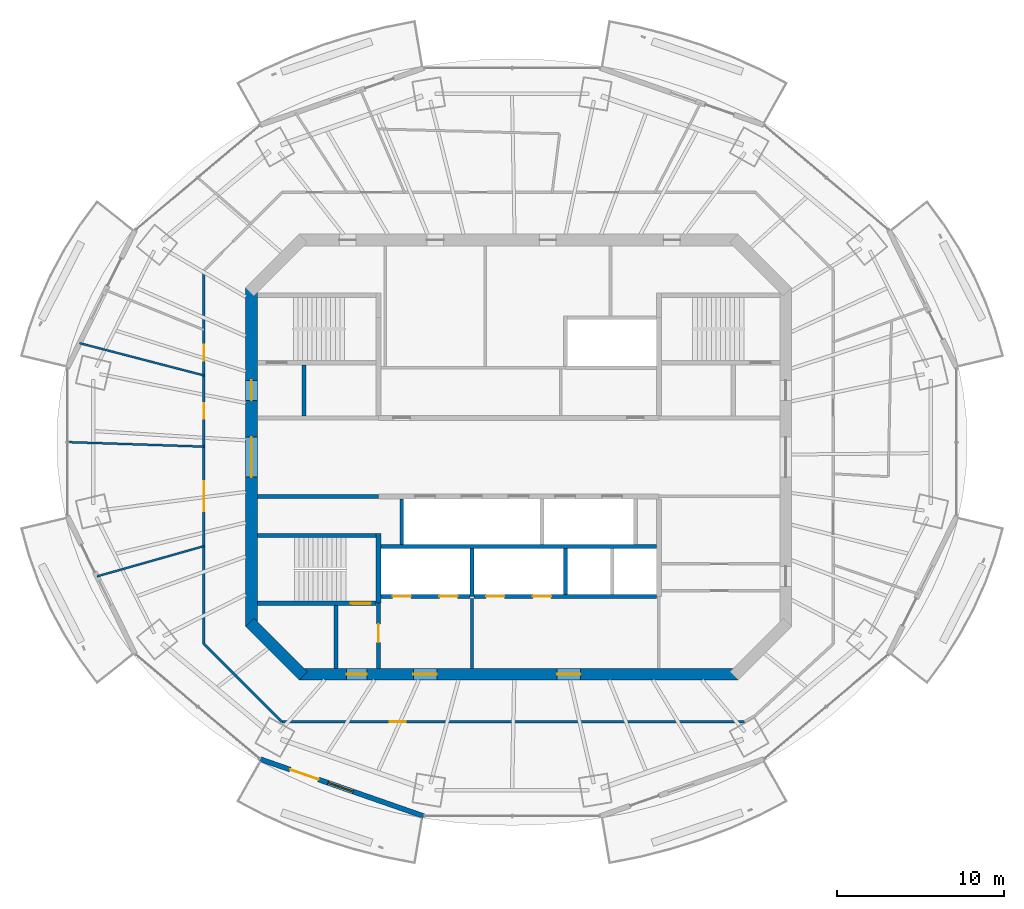
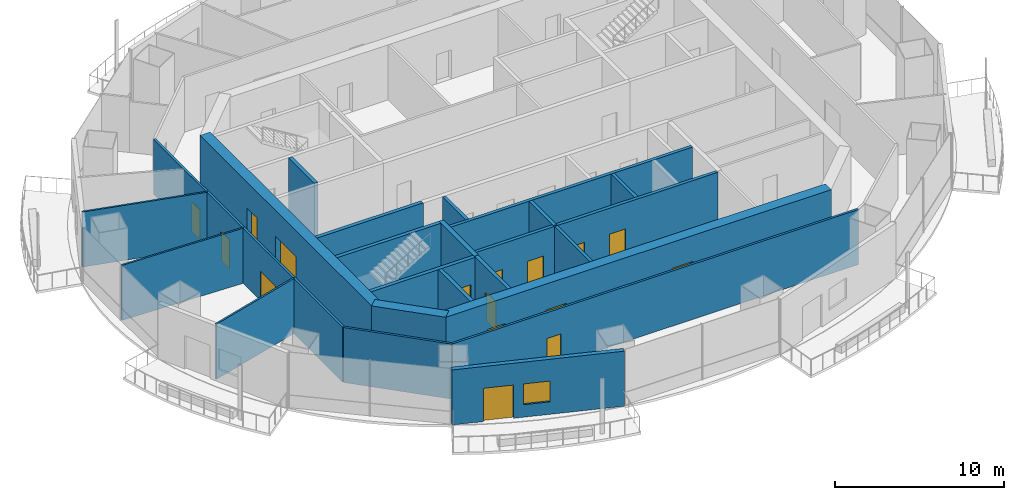
# One storey, part 8 of 16: 24 walls, 16 doors, 1 window, 17 openings.
"""IFC4 building model written with IfcOpenShell, lengths in metres."""

from ifc_helpers import new_model, si_unit, direction, frame, frame_2d, origin, place, context, subcontext, project, spatial, rectangle, extrude, material, layer, layer_set, type_object, element, fill, save


model = new_model("IFC4")

# Units and contexts
model_context = context("Model", 3, precision=1e-05, world=origin(), true_north=direction((0.0, 1.0)))
body_context = subcontext(model_context, "Body", "Model", "MODEL_VIEW")
ifc_project = project(units=[si_unit("LENGTHUNIT", "METRE"), si_unit("AREAUNIT", "SQUARE_METRE"), si_unit("VOLUMEUNIT", "CUBIC_METRE"), si_unit("PLANEANGLEUNIT", "RADIAN"), si_unit("MASSUNIT", "GRAM", prefix="KILO")], contexts=[model_context])

# Site, building, storey
site_placement = place(None, origin())
site = spatial("IfcSite", under=ifc_project, at=site_placement, CompositionType="ELEMENT")
building_placement = place(site_placement, origin())
building = spatial("IfcBuilding", under=site, at=building_placement, Name="Marenthal Gate Tower", CompositionType="ELEMENT")
storey_placement = place(building_placement, frame((0.0, 0.0, 338.449951171875)))
storey = spatial("IfcBuildingStorey", under=building, at=storey_placement, Name="L76", CompositionType="ELEMENT", Elevation=338.449951171875)

# Wall, openings, doors
ifc_material_1 = material(Name="Concrete 60 MPa", Category="concrete")
ifc_layer_1 = layer(ifc_material_1, 0.699951171875)
ifc_layer_set_1 = layer_set([ifc_layer_1], Name="Core shear wall 700")
wall_type_1 = type_object("IfcWallType", Name="Core shear wall 700", PredefinedType="SHEAR", material=ifc_layer_set_1)
wall_1_placement = place(storey_placement, frame((-16.0, 10.14501953125, -0.179931640625), z_axis=(0.0, 0.0, 1.0), x_axis=(0.0, -1.0, 0.0)))
wall_1 = element("IfcWall", 1, at=wall_1_placement, inside=storey, type_object=wall_type_1, Name="Core wall 06", PredefinedType="SHEAR", context=body_context, shape_type="SweptSolid", body=[
    extrude(rectangle(XDim=20.2900390625, YDim=0.699951171875, at=frame_2d((10.14501953125, 0.0))), origin(), (0.0, 0.0, 1.0), 4.14990234375),
])
opening_1_placement = place(wall_1_placement, frame((8.945068359375, 0.0, 0.179931640625)))
opening_1 = element("IfcOpeningElement", 2, at=opening_1_placement, cuts=wall_1, Name="Opening D003.01", PredefinedType="OPENING", context=body_context, shape_type="SweptSolid", body=[
    extrude(rectangle(XDim=2.39990234375, YDim=2.10009765625, at=frame_2d((1.199951171875, 1.050048828125))), frame((0.0, 0.35986328125, 0.0), z_axis=(0.0, -1.0, 0.0), x_axis=(1.0, 0.0, 0.0)), (0.0, 0.0, 1.0), 0.719970703125),
])
opening_2_placement = place(wall_1_placement, frame((5.544921875, 0.0, 0.179931640625)))
opening_2 = element("IfcOpeningElement", 3, at=opening_2_placement, cuts=wall_1, Name="Opening D001.04", PredefinedType="OPENING", context=body_context, shape_type="SweptSolid", body=[
    extrude(rectangle(XDim=1.199951171875, YDim=2.10009765625, at=frame_2d((0.60009765625, 1.050048828125))), frame((0.0, 0.35986328125, 0.0), z_axis=(0.0, -1.0, 0.0), x_axis=(1.0, 0.0, 0.0)), (0.0, 0.0, 1.0), 0.719970703125),
])
ifc_material_2 = material(Name="Steel fire door", Category="steel")
door_type_1 = type_object("IfcDoorType", Name="Double fire door FD 45 2400 x 2100", OperationType="DOUBLE_DOOR_SINGLE_SWING", PredefinedType="DOOR", material=ifc_material_2)
door_1_placement = place(opening_1_placement, origin())
door_1 = element("IfcDoor", 4, at=door_1_placement, inside=storey, type_object=door_type_1, Name="Door D003.01", OperationType="DOUBLE_DOOR_SINGLE_SWING", OverallHeight=2.10009765625, OverallWidth=2.39990234375, PredefinedType="DOOR", context=body_context, shape_type="SweptSolid", body=[
    extrude(rectangle(XDim=2.39990234375, YDim=2.10009765625, at=frame_2d((1.199951171875, 1.050048828125))), frame((0.0, 0.02490234375, 0.0), z_axis=(0.0, -1.0, 0.0), x_axis=(1.0, 0.0, 0.0)), (0.0, 0.0, 1.0), 0.050048828125),
])
fill(opening_1, door_1)
ifc_material_3 = material(Name="Steel fire door", Category="steel")
door_type_2 = type_object("IfcDoorType", Name="Fire door FD 90 1200 x 2100", OperationType="NOTDEFINED", PredefinedType="DOOR", material=ifc_material_3)
door_2_placement = place(opening_2_placement, origin())
door_2 = element("IfcDoor", 5, at=door_2_placement, inside=storey, type_object=door_type_2, Name="Door D001.04", OperationType="SINGLE_SWING_RIGHT", OverallHeight=2.10009765625, OverallWidth=1.199951171875, PredefinedType="DOOR", context=body_context, shape_type="SweptSolid", body=[
    extrude(rectangle(XDim=1.199951171875, YDim=2.10009765625, at=frame_2d((0.60009765625, 1.050048828125))), frame((0.0, 0.02490234375, 0.0), z_axis=(0.0, -1.0, 0.0), x_axis=(1.0, 0.0, 0.0)), (0.0, 0.0, 1.0), 0.050048828125),
])
fill(opening_2, door_2)

# Wall
wall_2_placement = place(storey_placement, frame((-16.1025390625, -9.8974609375, -0.179931640625), z_axis=(0.0, 0.0, 1.0), x_axis=(0.707106781187, -0.707106781187, 0.0)))
element("IfcWall", 6, at=wall_2_placement, inside=storey, type_object=wall_type_1, Name="Core wall 07", PredefinedType="SHEAR", context=body_context, shape_type="SweptSolid", body=[
    extrude(rectangle(XDim=4.53271484375, YDim=0.699951171875, at=frame_2d((2.266357421875, 0.0))), origin(), (0.0, 0.0, 1.0), 4.14990234375),
])

# Wall, openings, doors
wall_3_placement = place(storey_placement, frame((-13.14501953125, -13.0, -0.179931640625), z_axis=(0.0, 0.0, 1.0), x_axis=(1.0, 0.0, 0.0)))
wall_3 = element("IfcWall", 7, at=wall_3_placement, inside=storey, type_object=wall_type_1, Name="Core wall 08", PredefinedType="SHEAR", context=body_context, shape_type="SweptSolid", body=[
    extrude(rectangle(XDim=26.2900390625, YDim=0.699951171875, at=frame_2d((13.14501953125, 0.0))), origin(), (0.0, 0.0, 1.0), 4.14990234375),
])
opening_3_placement = place(wall_3_placement, frame((2.844970703125, 0.0, 0.179931640625)))
opening_3 = element("IfcOpeningElement", 8, at=opening_3_placement, cuts=wall_3, Name="Opening D001.06", PredefinedType="OPENING", context=body_context, shape_type="SweptSolid", body=[
    extrude(rectangle(XDim=1.199951171875, YDim=2.10009765625, at=frame_2d((0.60009765625, 1.050048828125))), frame((0.0, 0.35986328125, 0.0), z_axis=(0.0, -1.0, 0.0), x_axis=(1.0, 0.0, 0.0)), (0.0, 0.0, 1.0), 0.719970703125),
])
opening_4_placement = place(wall_3_placement, frame((6.844970703125, 0.0, 0.179931640625)))
opening_4 = element("IfcOpeningElement", 9, at=opening_4_placement, cuts=wall_3, Name="Opening D004.01", PredefinedType="OPENING", context=body_context, shape_type="SweptSolid", body=[
    extrude(rectangle(XDim=1.39990234375, YDim=2.10009765625, at=frame_2d((0.699951171875, 1.050048828125))), frame((0.0, 0.35986328125, 0.0), z_axis=(0.0, -1.0, 0.0), x_axis=(1.0, 0.0, 0.0)), (0.0, 0.0, 1.0), 0.719970703125),
])
opening_5_placement = place(wall_3_placement, frame((15.445068359375, 0.0, 0.179931640625)))
opening_5 = element("IfcOpeningElement", 10, at=opening_5_placement, cuts=wall_3, Name="Opening D004.02", PredefinedType="OPENING", context=body_context, shape_type="SweptSolid", body=[
    extrude(rectangle(XDim=1.39990234375, YDim=2.10009765625, at=frame_2d((0.699951171875, 1.050048828125))), frame((0.0, 0.35986328125, 0.0), z_axis=(0.0, -1.0, 0.0), x_axis=(1.0, 0.0, 0.0)), (0.0, 0.0, 1.0), 0.719970703125),
])
ifc_material_4 = material(Name="Steel fire door", Category="steel")
door_type_3 = type_object("IfcDoorType", Name="Fire door FD 45 1400 x 2100", OperationType="NOTDEFINED", PredefinedType="DOOR", material=ifc_material_4)
door_3_placement = place(opening_4_placement, origin())
door_3 = element("IfcDoor", 11, at=door_3_placement, inside=storey, type_object=door_type_3, Name="Door D004.01", OperationType="SINGLE_SWING_RIGHT", OverallHeight=2.10009765625, OverallWidth=1.39990234375, PredefinedType="DOOR", context=body_context, shape_type="SweptSolid", body=[
    extrude(rectangle(XDim=1.39990234375, YDim=2.10009765625, at=frame_2d((0.699951171875, 1.050048828125))), frame((0.0, 0.02490234375, 0.0), z_axis=(0.0, -1.0, 0.0), x_axis=(1.0, 0.0, 0.0)), (0.0, 0.0, 1.0), 0.050048828125),
])
fill(opening_4, door_3)
door_4_placement = place(opening_5_placement, origin())
door_4 = element("IfcDoor", 12, at=door_4_placement, inside=storey, type_object=door_type_3, Name="Door D004.02", OperationType="SINGLE_SWING_RIGHT", OverallHeight=2.10009765625, OverallWidth=1.39990234375, PredefinedType="DOOR", context=body_context, shape_type="SweptSolid", body=[
    extrude(rectangle(XDim=1.39990234375, YDim=2.10009765625, at=frame_2d((0.699951171875, 1.050048828125))), frame((0.0, 0.02490234375, 0.0), z_axis=(0.0, -1.0, 0.0), x_axis=(1.0, 0.0, 0.0)), (0.0, 0.0, 1.0), 0.050048828125),
])
fill(opening_5, door_4)
door_5_placement = place(opening_3_placement, origin())
door_5 = element("IfcDoor", 13, at=door_5_placement, inside=storey, type_object=door_type_2, Name="Door D001.06", OperationType="SINGLE_SWING_RIGHT", OverallHeight=2.10009765625, OverallWidth=1.199951171875, PredefinedType="DOOR", context=body_context, shape_type="SweptSolid", body=[
    extrude(rectangle(XDim=1.199951171875, YDim=2.10009765625, at=frame_2d((0.60009765625, 1.050048828125))), frame((0.0, 0.02490234375, 0.0), z_axis=(0.0, -1.0, 0.0), x_axis=(1.0, 0.0, 0.0)), (0.0, 0.0, 1.0), 0.050048828125),
])
fill(opening_3, door_5)

# Walls
ifc_material_5 = material(Name="Gypsum board on steel studs", Category="steel")
ifc_layer_2 = layer(ifc_material_5, 0.199951171875)
ifc_layer_set_2 = layer_set([ifc_layer_2], Name="Fire lobby wall 200")
wall_type_2 = type_object("IfcWallType", Name="Fire lobby wall 200", PredefinedType="PARTITIONING", material=ifc_layer_set_2)
wall_4_placement = place(storey_placement, frame((-2.800048828125, -12.64990234375, 0.0), z_axis=(0.0, 0.0, 1.0), x_axis=(0.0, 1.0, 0.0)))
element("IfcWall", 14, at=wall_4_placement, inside=storey, type_object=wall_type_2, Name="Fire wall 37", PredefinedType="PARTITIONING", context=body_context, shape_type="SweptSolid", body=[
    extrude(rectangle(XDim=4.18994140625, YDim=0.199951171875, at=frame_2d((2.094970703125, 0.0))), origin(), (0.0, 0.0, 1.0), 3.969970703125),
])
ifc_material_6 = material(Name="Concrete 50 MPa", Category="concrete")
ifc_layer_3 = layer(ifc_material_6, 0.300048828125)
ifc_layer_set_3 = layer_set([ifc_layer_3], Name="Hoistway shear wall 300")
wall_type_3 = type_object("IfcWallType", Name="Hoistway shear wall 300", PredefinedType="SHEAR", material=ifc_layer_set_3)
wall_5_placement = place(storey_placement, frame((-8.39990234375, -8.75, -0.179931640625), z_axis=(0.0, 0.0, 1.0), x_axis=(0.0, 1.0, 0.0)))
element("IfcWall", 15, at=wall_5_placement, inside=storey, type_object=wall_type_3, Name="Hoistway wall 32", PredefinedType="SHEAR", context=body_context, shape_type="SweptSolid", body=[
    extrude(rectangle(XDim=4.175048828125, YDim=0.300048828125, at=frame_2d((2.08740234375, 0.0))), origin(), (0.0, 0.0, 1.0), 4.14990234375),
])

# Wall, openings, doors
ifc_material_7 = material(Name="Concrete 40 MPa", Category="concrete")
ifc_layer_4 = layer(ifc_material_7, 0.219970703125)
ifc_layer_set_4 = layer_set([ifc_layer_4], Name="Hoistway wall 220")
wall_type_4 = type_object("IfcWallType", Name="Hoistway wall 220", PredefinedType="STANDARD", material=ifc_layer_set_4)
wall_6_placement = place(storey_placement, frame((-8.25, -8.35009765625, 0.0), z_axis=(0.0, 0.0, 1.0), x_axis=(1.0, 0.0, 0.0)))
wall_6 = element("IfcWall", 16, at=wall_6_placement, inside=storey, type_object=wall_type_4, Name="Hoistway wall 10", PredefinedType="STANDARD", context=body_context, shape_type="SweptSolid", body=[
    extrude(rectangle(XDim=5.340087890625, YDim=0.219970703125, at=frame_2d((2.669921875, 0.0))), origin(), (0.0, 0.0, 1.0), 3.969970703125),
])
opening_6_placement = place(wall_6_placement, frame((0.699951171875, 0.0, 0.0)))
opening_6 = element("IfcOpeningElement", 17, at=opening_6_placement, cuts=wall_6, Name="Opening LD-LF1", PredefinedType="OPENING", context=body_context, shape_type="SweptSolid", body=[
    extrude(rectangle(XDim=1.10009765625, YDim=2.10009765625, at=frame_2d((0.550048828125, 1.050048828125))), frame((0.0, 0.1201171875, 0.0), z_axis=(0.0, -1.0, 0.0), x_axis=(1.0, 0.0, 0.0)), (0.0, 0.0, 1.0), 0.239990234375),
])
opening_7_placement = place(wall_6_placement, frame((3.5, 0.0, 0.0)))
opening_7 = element("IfcOpeningElement", 18, at=opening_7_placement, cuts=wall_6, Name="Opening LD-LF2", PredefinedType="OPENING", context=body_context, shape_type="SweptSolid", body=[
    extrude(rectangle(XDim=1.10009765625, YDim=2.10009765625, at=frame_2d((0.550048828125, 1.050048828125))), frame((0.0, 0.1201171875, 0.0), z_axis=(0.0, -1.0, 0.0), x_axis=(1.0, 0.0, 0.0)), (0.0, 0.0, 1.0), 0.239990234375),
])
ifc_material_8 = material(Name="Stainless steel sliding door", Category="steel")
door_type_4 = type_object("IfcDoorType", Name="Lift landing door FD 90 1100 x 2100", OperationType="DOUBLE_DOOR_SLIDING", PredefinedType="DOOR", material=ifc_material_8)
door_6_placement = place(opening_6_placement, origin())
door_6 = element("IfcDoor", 19, at=door_6_placement, inside=storey, type_object=door_type_4, Name="Lift landing door LF1", OperationType="DOUBLE_DOOR_SLIDING", OverallHeight=2.10009765625, OverallWidth=1.10009765625, PredefinedType="DOOR", context=body_context, shape_type="SweptSolid", body=[
    extrude(rectangle(XDim=1.10009765625, YDim=2.10009765625, at=frame_2d((0.550048828125, 1.050048828125))), frame((0.0, 0.02490234375, 0.0), z_axis=(0.0, -1.0, 0.0), x_axis=(1.0, 0.0, 0.0)), (0.0, 0.0, 1.0), 0.050048828125),
])
fill(opening_6, door_6)
door_7_placement = place(opening_7_placement, origin())
door_7 = element("IfcDoor", 20, at=door_7_placement, inside=storey, type_object=door_type_4, Name="Lift landing door LF2", OperationType="DOUBLE_DOOR_SLIDING", OverallHeight=2.10009765625, OverallWidth=1.10009765625, PredefinedType="DOOR", context=body_context, shape_type="SweptSolid", body=[
    extrude(rectangle(XDim=1.10009765625, YDim=2.10009765625, at=frame_2d((0.550048828125, 1.050048828125))), frame((0.0, 0.02490234375, 0.0), z_axis=(0.0, -1.0, 0.0), x_axis=(1.0, 0.0, 0.0)), (0.0, 0.0, 1.0), 0.050048828125),
])
fill(opening_7, door_7)

wall_7_placement = place(storey_placement, frame((-2.68994140625, -8.35009765625, 0.0), z_axis=(0.0, 0.0, 1.0), x_axis=(1.0, 0.0, 0.0)))
wall_7 = element("IfcWall", 21, at=wall_7_placement, inside=storey, type_object=wall_type_4, Name="Hoistway wall 11", PredefinedType="STANDARD", context=body_context, shape_type="SweptSolid", body=[
    extrude(rectangle(XDim=10.93994140625, YDim=0.219970703125, at=frame_2d((5.469970703125, 0.0))), origin(), (0.0, 0.0, 1.0), 3.969970703125),
])
opening_8_placement = place(wall_7_placement, frame((0.739990234375, 0.0, 0.0)))
opening_8 = element("IfcOpeningElement", 22, at=opening_8_placement, cuts=wall_7, Name="Opening LD-SV1", PredefinedType="OPENING", context=body_context, shape_type="SweptSolid", body=[
    extrude(rectangle(XDim=1.10009765625, YDim=2.10009765625, at=frame_2d((0.550048828125, 1.050048828125))), frame((0.0, 0.1201171875, 0.0), z_axis=(0.0, -1.0, 0.0), x_axis=(1.0, 0.0, 0.0)), (0.0, 0.0, 1.0), 0.239990234375),
])
opening_9_placement = place(wall_7_placement, frame((3.5400390625, 0.0, 0.0)))
opening_9 = element("IfcOpeningElement", 23, at=opening_9_placement, cuts=wall_7, Name="Opening LD-SV2", PredefinedType="OPENING", context=body_context, shape_type="SweptSolid", body=[
    extrude(rectangle(XDim=1.10009765625, YDim=2.10009765625, at=frame_2d((0.550048828125, 1.050048828125))), frame((0.0, 0.1201171875, 0.0), z_axis=(0.0, -1.0, 0.0), x_axis=(1.0, 0.0, 0.0)), (0.0, 0.0, 1.0), 0.239990234375),
])
door_8_placement = place(opening_8_placement, origin())
door_8 = element("IfcDoor", 24, at=door_8_placement, inside=storey, type_object=door_type_4, Name="Lift landing door SV1", OperationType="DOUBLE_DOOR_SLIDING", OverallHeight=2.10009765625, OverallWidth=1.10009765625, PredefinedType="DOOR", context=body_context, shape_type="SweptSolid", body=[
    extrude(rectangle(XDim=1.10009765625, YDim=2.10009765625, at=frame_2d((0.550048828125, 1.050048828125))), frame((0.0, 0.02490234375, 0.0), z_axis=(0.0, -1.0, 0.0), x_axis=(1.0, 0.0, 0.0)), (0.0, 0.0, 1.0), 0.050048828125),
])
fill(opening_8, door_8)
door_9_placement = place(opening_9_placement, origin())
door_9 = element("IfcDoor", 25, at=door_9_placement, inside=storey, type_object=door_type_4, Name="Lift landing door SV2", OperationType="DOUBLE_DOOR_SLIDING", OverallHeight=2.10009765625, OverallWidth=1.10009765625, PredefinedType="DOOR", context=body_context, shape_type="SweptSolid", body=[
    extrude(rectangle(XDim=1.10009765625, YDim=2.10009765625, at=frame_2d((0.550048828125, 1.050048828125))), frame((0.0, 0.02490234375, 0.0), z_axis=(0.0, -1.0, 0.0), x_axis=(1.0, 0.0, 0.0)), (0.0, 0.0, 1.0), 0.050048828125),
])
fill(opening_9, door_9)

# Walls
wall_8_placement = place(storey_placement, frame((-8.25, -5.35009765625, 0.0), z_axis=(0.0, 0.0, 1.0), x_axis=(1.0, 0.0, 0.0)))
element("IfcWall", 26, at=wall_8_placement, inside=storey, type_object=wall_type_4, Name="Hoistway wall 14", PredefinedType="STANDARD", context=body_context, shape_type="SweptSolid", body=[
    extrude(rectangle(XDim=16.5, YDim=0.219970703125, at=frame_2d((8.25, 0.0))), origin(), (0.0, 0.0, 1.0), 3.969970703125),
])
wall_9_placement = place(storey_placement, frame((-7.0, -5.239990234375, 0.0), z_axis=(0.0, 0.0, 1.0), x_axis=(0.0, 1.0, 0.0)))
element("IfcWall", 27, at=wall_9_placement, inside=storey, type_object=wall_type_4, Name="Hoistway wall 36", PredefinedType="STANDARD", context=body_context, shape_type="SweptSolid", body=[
    extrude(rectangle(XDim=2.739990234375, YDim=0.219970703125, at=frame_2d((1.3701171875, 0.0))), origin(), (0.0, 0.0, 1.0), 3.969970703125),
])
wall_10_placement = place(storey_placement, frame((-2.800048828125, -8.35009765625, 0.0), z_axis=(0.0, 0.0, 1.0), x_axis=(0.0, 1.0, 0.0)))
element("IfcWall", 28, at=wall_10_placement, inside=storey, type_object=wall_type_4, Name="Hoistway wall 38", PredefinedType="STANDARD", context=body_context, shape_type="SweptSolid", body=[
    extrude(rectangle(XDim=2.89013671875, YDim=0.219970703125, at=frame_2d((1.445068359375, 0.0))), origin(), (0.0, 0.0, 1.0), 3.969970703125),
])
wall_11_placement = place(storey_placement, frame((2.800048828125, -8.239990234375, 0.0), z_axis=(0.0, 0.0, 1.0), x_axis=(0.0, 1.0, 0.0)))
element("IfcWall", 29, at=wall_11_placement, inside=storey, type_object=wall_type_4, Name="Hoistway wall 42", PredefinedType="STANDARD", context=body_context, shape_type="SweptSolid", body=[
    extrude(rectangle(XDim=2.780029296875, YDim=0.219970703125, at=frame_2d((1.39013671875, 0.0))), origin(), (0.0, 0.0, 1.0), 3.969970703125),
])
ifc_material_9 = material(Name="Gypsum board on steel studs", Category="steel")
ifc_layer_5 = layer(ifc_material_9, 0.1201171875)
ifc_layer_set_5 = layer_set([ifc_layer_5], Name="Partition 120")
wall_type_5 = type_object("IfcWallType", Name="Partition 120", PredefinedType="PARTITIONING", material=ifc_layer_set_5)
wall_12_placement = place(storey_placement, frame((-18.85009765625, -5.331787109375, 0.0), z_axis=(0.0, 0.0, 1.0), x_axis=(-0.962246620086, -0.272179062626, 0.0)))
element("IfcWall", 30, at=wall_12_placement, inside=storey, type_object=wall_type_5, Name="Partition wall 53", PredefinedType="PARTITIONING", context=body_context, shape_type="SweptSolid", body=[
    extrude(rectangle(XDim=6.661865234375, YDim=0.1201171875, at=frame_2d((3.3310546875, 0.0))), origin(), (0.0, 0.0, 1.0), 3.969970703125),
])
wall_13_placement = place(storey_placement, frame((-18.85009765625, 0.627685546875, 0.0), z_axis=(0.0, 0.0, 1.0), x_axis=(-0.999446363227, 0.03327111408, 0.0)))
element("IfcWall", 31, at=wall_13_placement, inside=storey, type_object=wall_type_5, Name="Partition wall 54", PredefinedType="PARTITIONING", context=body_context, shape_type="SweptSolid", body=[
    extrude(rectangle(XDim=8.181884765625, YDim=0.1201171875, at=frame_2d((4.0908203125, 0.0))), origin(), (0.0, 0.0, 1.0), 3.969970703125),
])
wall_14_placement = place(storey_placement, frame((-18.85009765625, 4.89208984375, 0.0), z_axis=(0.0, 0.0, 1.0), x_axis=(-0.96792697071, 0.251231724456, 0.0)))
element("IfcWall", 32, at=wall_14_placement, inside=storey, type_object=wall_type_5, Name="Partition wall 55", PredefinedType="PARTITIONING", context=body_context, shape_type="SweptSolid", body=[
    extrude(rectangle(XDim=7.700439453125, YDim=0.1201171875, at=frame_2d((3.85009765625, 0.0))), origin(), (0.0, 0.0, 1.0), 3.969970703125),
])

# Wall, openings, doors
ifc_material_10 = material(Name="Gypsum board on steel studs", Category="steel")
ifc_layer_6 = layer(ifc_material_10, 0.14990234375)
ifc_layer_set_6 = layer_set([ifc_layer_6], Name="Partition 150")
wall_type_6 = type_object("IfcWallType", Name="Partition 150", PredefinedType="PARTITIONING", material=ifc_layer_set_6)
wall_15_placement = place(storey_placement, frame((-18.85009765625, -11.180419921875, 0.0), z_axis=(0.0, 0.0, 1.0), x_axis=(0.0, 1.0, 0.0)))
wall_15 = element("IfcWall", 33, at=wall_15_placement, inside=storey, type_object=wall_type_6, Name="Partition wall 52", PredefinedType="PARTITIONING", context=body_context, shape_type="SweptSolid", body=[
    extrude(rectangle(XDim=22.36083984375, YDim=0.14990234375, at=frame_2d((11.180419921875, 0.0))), origin(), (0.0, 0.0, 1.0), 3.969970703125),
])
opening_10_placement = place(wall_15_placement, frame((16.9619140625, 0.0, 0.0)))
opening_10 = element("IfcOpeningElement", 34, at=opening_10_placement, cuts=wall_15, Name="Opening D016.04", PredefinedType="OPENING", context=body_context, shape_type="SweptSolid", body=[
    extrude(rectangle(XDim=0.949951171875, YDim=2.10009765625, at=frame_2d((0.47509765625, 1.050048828125))), frame((0.0, 0.0849609375, 0.0), z_axis=(0.0, -1.0, 0.0), x_axis=(1.0, 0.0, 0.0)), (0.0, 0.0, 1.0), 0.169921875),
])
opening_11_placement = place(wall_15_placement, frame((13.466064453125, 0.0, 0.0)))
opening_11 = element("IfcOpeningElement", 35, at=opening_11_placement, cuts=wall_15, Name="Opening D016.05", PredefinedType="OPENING", context=body_context, shape_type="SweptSolid", body=[
    extrude(rectangle(XDim=0.949951171875, YDim=2.10009765625, at=frame_2d((0.47509765625, 1.050048828125))), frame((0.0, 0.0849609375, 0.0), z_axis=(0.0, -1.0, 0.0), x_axis=(1.0, 0.0, 0.0)), (0.0, 0.0, 1.0), 0.169921875),
])
opening_12_placement = place(wall_15_placement, frame((7.928955078125, 0.0, 0.0)))
opening_12 = element("IfcOpeningElement", 36, at=opening_12_placement, cuts=wall_15, Name="Opening D014.04", PredefinedType="OPENING", context=body_context, shape_type="SweptSolid", body=[
    extrude(rectangle(XDim=1.800048828125, YDim=2.10009765625, at=frame_2d((0.89990234375, 1.050048828125))), frame((0.0, 0.0849609375, 0.0), z_axis=(0.0, -1.0, 0.0), x_axis=(1.0, 0.0, 0.0)), (0.0, 0.0, 1.0), 0.169921875),
])
ifc_material_11 = material(Name="Timber door", Category="wood")
door_type_5 = type_object("IfcDoorType", Name="Door 950 x 2100", OperationType="NOTDEFINED", PredefinedType="DOOR", material=ifc_material_11)
door_10_placement = place(opening_10_placement, origin())
door_10 = element("IfcDoor", 37, at=door_10_placement, inside=storey, type_object=door_type_5, Name="Door D016.04", OperationType="SINGLE_SWING_RIGHT", OverallHeight=2.10009765625, OverallWidth=0.949951171875, PredefinedType="DOOR", context=body_context, shape_type="SweptSolid", body=[
    extrude(rectangle(XDim=0.949951171875, YDim=2.10009765625, at=frame_2d((0.47509765625, 1.050048828125))), frame((0.0, 0.02490234375, 0.0), z_axis=(0.0, -1.0, 0.0), x_axis=(1.0, 0.0, 0.0)), (0.0, 0.0, 1.0), 0.050048828125),
])
fill(opening_10, door_10)
door_11_placement = place(opening_11_placement, origin())
door_11 = element("IfcDoor", 38, at=door_11_placement, inside=storey, type_object=door_type_5, Name="Door D016.05", OperationType="SINGLE_SWING_RIGHT", OverallHeight=2.10009765625, OverallWidth=0.949951171875, PredefinedType="DOOR", context=body_context, shape_type="SweptSolid", body=[
    extrude(rectangle(XDim=0.949951171875, YDim=2.10009765625, at=frame_2d((0.47509765625, 1.050048828125))), frame((0.0, 0.02490234375, 0.0), z_axis=(0.0, -1.0, 0.0), x_axis=(1.0, 0.0, 0.0)), (0.0, 0.0, 1.0), 0.050048828125),
])
fill(opening_11, door_11)
ifc_material_12 = material(Name="Timber door", Category="wood")
door_type_6 = type_object("IfcDoorType", Name="Double door 1800 x 2100", OperationType="DOUBLE_DOOR_SINGLE_SWING", PredefinedType="DOOR", material=ifc_material_12)
door_12_placement = place(opening_12_placement, origin())
door_12 = element("IfcDoor", 39, at=door_12_placement, inside=storey, type_object=door_type_6, Name="Door D014.04", OperationType="DOUBLE_DOOR_SINGLE_SWING", OverallHeight=2.10009765625, OverallWidth=1.800048828125, PredefinedType="DOOR", context=body_context, shape_type="SweptSolid", body=[
    extrude(rectangle(XDim=1.800048828125, YDim=2.10009765625, at=frame_2d((0.89990234375, 1.050048828125))), frame((0.0, 0.02490234375, 0.0), z_axis=(0.0, -1.0, 0.0), x_axis=(1.0, 0.0, 0.0)), (0.0, 0.0, 1.0), 0.050048828125),
])
fill(opening_12, door_12)

# Wall
wall_16_placement = place(storey_placement, frame((-14.180419921875, -15.85009765625, 0.0), z_axis=(0.0, 0.0, 1.0), x_axis=(-0.707106781187, 0.707106781187, 0.0)))
element("IfcWall", 40, at=wall_16_placement, inside=storey, type_object=wall_type_6, Name="Partition wall 59", PredefinedType="PARTITIONING", context=body_context, shape_type="SweptSolid", body=[
    extrude(rectangle(XDim=6.60400390625, YDim=0.14990234375, at=frame_2d((3.302001953125, 0.0))), origin(), (0.0, 0.0, 1.0), 3.969970703125),
])

# Wall, opening, door
wall_17_placement = place(storey_placement, frame((13.52099609375, -15.85009765625, 0.0), z_axis=(0.0, 0.0, 1.0), x_axis=(-1.0, 0.0, 0.0)))
wall_17 = element("IfcWall", 41, at=wall_17_placement, inside=storey, type_object=wall_type_6, Name="Partition wall 66", PredefinedType="PARTITIONING", context=body_context, shape_type="SweptSolid", body=[
    extrude(rectangle(XDim=27.701416015625, YDim=0.14990234375, at=frame_2d((13.8505859375, 0.0))), origin(), (0.0, 0.0, 1.0), 3.969970703125),
])
opening_13_placement = place(wall_17_placement, frame((20.283935546875, 0.0, 0.0)))
opening_13 = element("IfcOpeningElement", 42, at=opening_13_placement, cuts=wall_17, Name="Opening D016.06", PredefinedType="OPENING", context=body_context, shape_type="SweptSolid", body=[
    extrude(rectangle(XDim=0.949951171875, YDim=2.10009765625, at=frame_2d((0.47509765625, 1.050048828125))), frame((0.0, 0.0849609375, 0.0), z_axis=(0.0, -1.0, 0.0), x_axis=(1.0, 0.0, 0.0)), (0.0, 0.0, 1.0), 0.169921875),
])
door_13_placement = place(opening_13_placement, frame((0.949951171875, 0.0, 0.0), z_axis=(0.0, 0.0, 1.0), x_axis=(-1.0, 0.0, 0.0)))
door_13 = element("IfcDoor", 43, at=door_13_placement, inside=storey, type_object=door_type_5, Name="Door D016.06", OperationType="SINGLE_SWING_LEFT", OverallHeight=2.10009765625, OverallWidth=0.949951171875, PredefinedType="DOOR", context=body_context, shape_type="SweptSolid", body=[
    extrude(rectangle(XDim=0.949951171875, YDim=2.10009765625, at=frame_2d((0.47509765625, 1.050048828125))), frame((0.0, 0.02490234375, 0.0), z_axis=(0.0, -1.0, 0.0), x_axis=(1.0, 0.0, 0.0)), (0.0, 0.0, 1.0), 0.050048828125),
])
fill(opening_13, door_13)

# Walls
ifc_material_13 = material(Name="Concrete 40 MPa", Category="concrete")
ifc_layer_7 = layer(ifc_material_13, 0.25)
ifc_layer_set_7 = layer_set([ifc_layer_7], Name="Stair enclosure wall 250")
wall_type_7 = type_object("IfcWallType", Name="Stair enclosure wall 250", PredefinedType="STANDARD", material=ifc_layer_set_7)
wall_18_placement = place(storey_placement, frame((-15.64990234375, -2.35009765625, 0.0), z_axis=(0.0, 0.0, 1.0), x_axis=(1.0, 0.0, 0.0)))
element("IfcWall", 44, at=wall_18_placement, inside=storey, type_object=wall_type_7, Name="Stair wall 16", PredefinedType="STANDARD", context=body_context, shape_type="SweptSolid", body=[
    extrude(rectangle(XDim=7.25, YDim=0.25, at=frame_2d((3.625, 0.0))), origin(), (0.0, 0.0, 1.0), 3.969970703125),
])
wall_19_placement = place(storey_placement, frame((-12.85009765625, 2.47509765625, 0.0), z_axis=(0.0, 0.0, 1.0), x_axis=(0.0, 1.0, 0.0)))
element("IfcWall", 45, at=wall_19_placement, inside=storey, type_object=wall_type_7, Name="Stair wall 29", PredefinedType="STANDARD", context=body_context, shape_type="SweptSolid", body=[
    extrude(rectangle(XDim=3.0498046875, YDim=0.25, at=frame_2d((1.52490234375, 0.0))), origin(), (0.0, 0.0, 1.0), 3.969970703125),
])
wall_20_placement = place(storey_placement, frame((-10.949951171875, -12.64990234375, 0.0), z_axis=(0.0, 0.0, 1.0), x_axis=(0.0, 1.0, 0.0)))
element("IfcWall", 46, at=wall_20_placement, inside=storey, type_object=wall_type_7, Name="Stair wall 30", PredefinedType="STANDARD", context=body_context, shape_type="SweptSolid", body=[
    extrude(rectangle(XDim=3.77490234375, YDim=0.25, at=frame_2d((1.887451171875, 0.0))), origin(), (0.0, 0.0, 1.0), 3.969970703125),
])

# Wall, opening, door
wall_21_placement = place(storey_placement, frame((-8.39990234375, -12.64990234375, 0.0), z_axis=(0.0, 0.0, 1.0), x_axis=(0.0, 1.0, 0.0)))
wall_21 = element("IfcWall", 47, at=wall_21_placement, inside=storey, type_object=wall_type_7, Name="Stair wall 31", PredefinedType="STANDARD", context=body_context, shape_type="SweptSolid", body=[
    extrude(rectangle(XDim=3.89990234375, YDim=0.25, at=frame_2d((1.949951171875, 0.0))), origin(), (0.0, 0.0, 1.0), 3.969970703125),
])
opening_14_placement = place(wall_21_placement, frame((1.550048828125, 0.0, 0.0)))
opening_14 = element("IfcOpeningElement", 48, at=opening_14_placement, cuts=wall_21, Name="Opening D002.01", PredefinedType="OPENING", context=body_context, shape_type="SweptSolid", body=[
    extrude(rectangle(XDim=1.10009765625, YDim=2.10009765625, at=frame_2d((0.550048828125, 1.050048828125))), frame((0.0, 0.135009765625, 0.0), z_axis=(0.0, -1.0, 0.0), x_axis=(1.0, 0.0, 0.0)), (0.0, 0.0, 1.0), 0.27001953125),
])
ifc_material_14 = material(Name="Steel fire door", Category="steel")
door_type_7 = type_object("IfcDoorType", Name="Fire door FD 90 1100 x 2100", OperationType="NOTDEFINED", PredefinedType="DOOR", material=ifc_material_14)
door_14_placement = place(opening_14_placement, origin())
door_14 = element("IfcDoor", 49, at=door_14_placement, inside=storey, type_object=door_type_7, Name="Door D002.01", OperationType="SINGLE_SWING_RIGHT", OverallHeight=2.10009765625, OverallWidth=1.10009765625, PredefinedType="DOOR", context=body_context, shape_type="SweptSolid", body=[
    extrude(rectangle(XDim=1.10009765625, YDim=2.10009765625, at=frame_2d((0.550048828125, 1.050048828125))), frame((0.0, 0.02490234375, 0.0), z_axis=(0.0, -1.0, 0.0), x_axis=(1.0, 0.0, 0.0)), (0.0, 0.0, 1.0), 0.050048828125),
])
fill(opening_14, door_14)

ifc_material_15 = material(Name="Concrete 50 MPa", Category="concrete")
ifc_layer_8 = layer(ifc_material_15, 0.25)
ifc_layer_set_8 = layer_set([ifc_layer_8], Name="Stair shear wall 250")
wall_type_8 = type_object("IfcWallType", Name="Stair shear wall 250", PredefinedType="SHEAR", material=ifc_layer_set_8)
wall_22_placement = place(storey_placement, frame((-15.64990234375, -8.75, -0.179931640625), z_axis=(0.0, 0.0, 1.0), x_axis=(1.0, 0.0, 0.0)))
wall_22 = element("IfcWall", 50, at=wall_22_placement, inside=storey, type_object=wall_type_8, Name="Stair wall 09", PredefinedType="SHEAR", context=body_context, shape_type="SweptSolid", body=[
    extrude(rectangle(XDim=7.099853515625, YDim=0.25, at=frame_2d((3.5498046875, 0.0))), origin(), (0.0, 0.0, 1.0), 4.14990234375),
])
opening_15_placement = place(wall_22_placement, frame((5.60009765625, 0.0, 0.179931640625)))
opening_15 = element("IfcOpeningElement", 51, at=opening_15_placement, cuts=wall_22, Name="Opening D001.03", PredefinedType="OPENING", context=body_context, shape_type="SweptSolid", body=[
    extrude(rectangle(XDim=1.199951171875, YDim=2.10009765625, at=frame_2d((0.60009765625, 1.050048828125))), frame((0.0, 0.135009765625, 0.0), z_axis=(0.0, -1.0, 0.0), x_axis=(1.0, 0.0, 0.0)), (0.0, 0.0, 1.0), 0.27001953125),
])
door_15_placement = place(opening_15_placement, origin())
door_15 = element("IfcDoor", 52, at=door_15_placement, inside=storey, type_object=door_type_2, Name="Door D001.03", OperationType="SINGLE_SWING_RIGHT", OverallHeight=2.10009765625, OverallWidth=1.199951171875, PredefinedType="DOOR", context=body_context, shape_type="SweptSolid", body=[
    extrude(rectangle(XDim=1.199951171875, YDim=2.10009765625, at=frame_2d((0.60009765625, 1.050048828125))), frame((0.0, 0.02490234375, 0.0), z_axis=(0.0, -1.0, 0.0), x_axis=(1.0, 0.0, 0.0)), (0.0, 0.0, 1.0), 0.050048828125),
])
fill(opening_15, door_15)

# Wall
wall_23_placement = place(storey_placement, frame((-15.64990234375, -4.699951171875, -0.179931640625), z_axis=(0.0, 0.0, 1.0), x_axis=(1.0, 0.0, 0.0)))
element("IfcWall", 53, at=wall_23_placement, inside=storey, type_object=wall_type_8, Name="Stair wall 15", PredefinedType="SHEAR", context=body_context, shape_type="SweptSolid", body=[
    extrude(rectangle(XDim=7.099853515625, YDim=0.25, at=frame_2d((3.5498046875, 0.0))), origin(), (0.0, 0.0, 1.0), 4.14990234375),
])

# Wall, openings, door, window
ifc_material_16 = material(Name="Terracotta cladding on insulated concrete-block backing", Category="masonry")
ifc_layer_9 = layer(ifc_material_16, 0.300048828125)
ifc_layer_set_9 = layer_set([ifc_layer_9], Name="Terracotta facade wall 300")
wall_type_9 = type_object("IfcWallType", Name="Terracotta facade wall 300", PredefinedType="SOLIDWALL", material=ifc_layer_set_9)
wall_24_placement = place(storey_placement, frame((-15.483154296875, -18.09228515625, 0.0), z_axis=(0.0, 0.0, 1.0), x_axis=(0.944291634301, -0.329109874341, 0.0)))
wall_24 = element("IfcWall", 54, at=wall_24_placement, inside=storey, type_object=wall_type_9, Name="Terracotta facade wall L76 bay 11", PredefinedType="SOLIDWALL", context=body_context, shape_type="SweptSolid", body=[
    extrude(rectangle(XDim=10.364013671875, YDim=0.300048828125, at=frame_2d((5.18212890625, 0.0))), origin(), (0.0, 0.0, 1.0), 3.969970703125),
])
opening_16_placement = place(wall_24_placement, frame((1.89990234375, 0.0, 0.0)))
opening_16 = element("IfcOpeningElement", 55, at=opening_16_placement, cuts=wall_24, Name="Opening BD-L76-11", PredefinedType="OPENING", context=body_context, shape_type="SweptSolid", body=[
    extrude(rectangle(XDim=1.800048828125, YDim=2.39990234375, at=frame_2d((0.89990234375, 1.199951171875))), frame((0.0, 0.16015625, 0.0), z_axis=(0.0, -1.0, 0.0), x_axis=(1.0, 0.0, 0.0)), (0.0, 0.0, 1.0), 0.320068359375),
])
opening_17_placement = place(wall_24_placement, frame((4.300048828125, 0.0, 0.89990234375)))
opening_17 = element("IfcOpeningElement", 56, at=opening_17_placement, cuts=wall_24, Name="Opening WN3-L76-11", PredefinedType="OPENING", context=body_context, shape_type="SweptSolid", body=[
    extrude(rectangle(XDim=1.60009765625, YDim=1.5, at=frame_2d((0.800048828125, 0.75))), frame((0.0, 0.16015625, 0.0), z_axis=(0.0, -1.0, 0.0), x_axis=(1.0, 0.0, 0.0)), (0.0, 0.0, 1.0), 0.320068359375),
])
ifc_material_17 = material(Name="Aluminium and glass", Category="aluminium")
door_type_8 = type_object("IfcDoorType", Name="Balcony door 1800x2400", OperationType="DOUBLE_DOOR_SINGLE_SWING", PredefinedType="DOOR", material=ifc_material_17)
door_16_placement = place(opening_16_placement, origin())
door_16 = element("IfcDoor", 57, at=door_16_placement, inside=storey, type_object=door_type_8, Name="Balcony door L76 bay 11", OperationType="SINGLE_SWING_LEFT", OverallHeight=2.39990234375, OverallWidth=1.800048828125, PredefinedType="DOOR", context=body_context, shape_type="SweptSolid", body=[
    extrude(rectangle(XDim=1.800048828125, YDim=2.39990234375, at=frame_2d((0.89990234375, 1.199951171875))), frame((0.0, 0.02490234375, 0.0), z_axis=(0.0, -1.0, 0.0), x_axis=(1.0, 0.0, 0.0)), (0.0, 0.0, 1.0), 0.050048828125),
])
fill(opening_16, door_16)
ifc_material_18 = material(Name="Aluminium and glass", Category="aluminium")
window_type = type_object("IfcWindowType", Name="Window 1600x1500", PartitioningType="DOUBLE_PANEL_VERTICAL", PredefinedType="WINDOW", material=ifc_material_18)
window_placement = place(opening_17_placement, origin())
window = element("IfcWindow", 58, at=window_placement, inside=storey, type_object=window_type, Name="Window L76 bay 11", OverallHeight=1.5, OverallWidth=1.60009765625, PartitioningType="SINGLE_PANEL", PredefinedType="WINDOW", context=body_context, shape_type="SweptSolid", body=[
    extrude(rectangle(XDim=1.60009765625, YDim=1.5, at=frame_2d((0.800048828125, 0.75))), frame((0.0, 0.030029296875, 0.0), z_axis=(0.0, -1.0, 0.0), x_axis=(1.0, 0.0, 0.0)), (0.0, 0.0, 1.0), 0.06005859375),
])
fill(opening_17, window)

save(model, "model.ifc")
